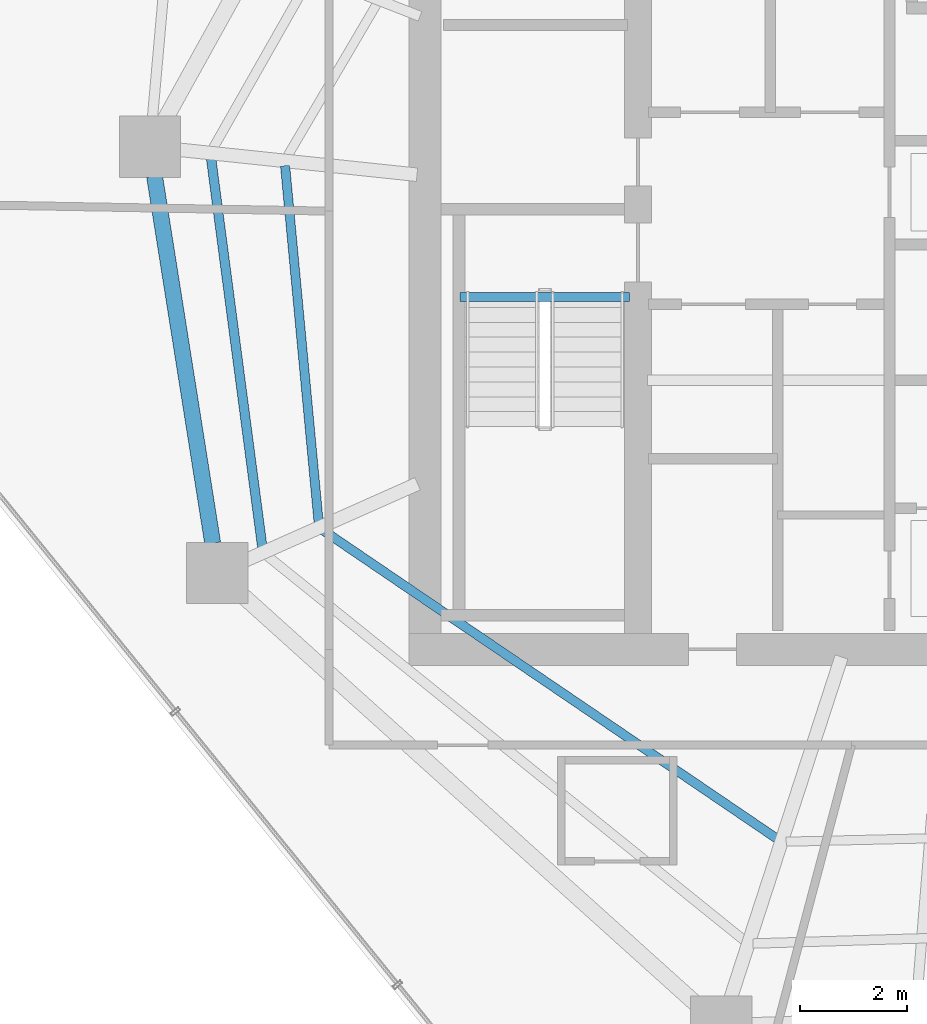
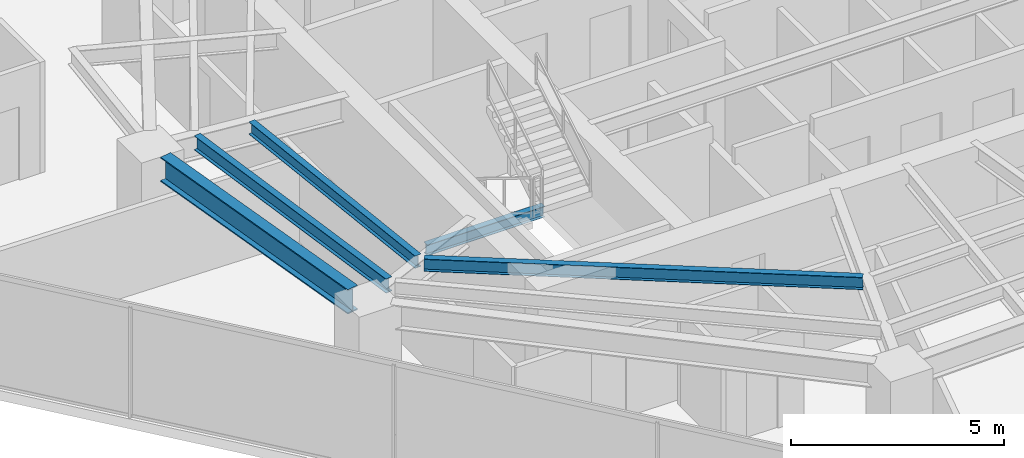
# One storey, part 8 of 27: 5 beams.
"""IFC4 building model written with IfcOpenShell, lengths in metres."""

from ifc_helpers import new_model, si_unit, direction, frame, origin, origin_2d, place, context, subcontext, project, spatial, i_section, extrude, material, material_profile, profile_set, type_object, element, save


model = new_model("IFC4")

# Units and contexts
model_context = context("Model", 3, precision=1e-05, world=origin(), true_north=direction((0.0, 1.0)))
body_context = subcontext(model_context, "Body", "Model", "MODEL_VIEW")
ifc_project = project(units=[si_unit("LENGTHUNIT", "METRE"), si_unit("AREAUNIT", "SQUARE_METRE"), si_unit("VOLUMEUNIT", "CUBIC_METRE"), si_unit("PLANEANGLEUNIT", "RADIAN"), si_unit("MASSUNIT", "GRAM", prefix="KILO")], contexts=[model_context])

# Site, building, storey
site_placement = place(None, origin())
site = spatial("IfcSite", under=ifc_project, at=site_placement, CompositionType="ELEMENT")
building_placement = place(site_placement, origin())
building = spatial("IfcBuilding", under=site, at=building_placement, Name="Qarnah Convention Tower", CompositionType="ELEMENT")
storey_placement = place(building_placement, frame((0.0, 0.0, 100.5)))
storey = spatial("IfcBuildingStorey", under=building, at=storey_placement, Name="L26", CompositionType="ELEMENT", Elevation=100.5)

# Beams
ifc_material = material(Name="Structural steel S355JR", Category="steel")
ifc_material_profile_1 = material_profile(ifc_material, i_section(OverallWidth=0.166015625, OverallDepth=0.31201171875, WebThickness=0.007080078125, FlangeThickness=0.010986328125, at=origin_2d()), Name="W310X45")
ifc_profile_set_1 = profile_set([ifc_material_profile_1], Name="Structural steel S355JR")
beam_type_1 = type_object("IfcBeamType", Name="BM-JST-W310", PredefinedType="JOIST", material=ifc_profile_set_1)
beam_1_placement = place(storey_placement, frame((27.4599609375, 25.217041015625, -0.156005859375), z_axis=(1.0, 0.0, 0.0), x_axis=(0.0, 1.0, 0.0)))
element("IfcBeam", 1, at=beam_1_placement, inside=storey, type_object=beam_type_1, Name="L26 stair landing trimmer beam BM-L26-ST1-TRM", PredefinedType="BEAM", context=body_context, shape_type="SweptSolid", body=[
    extrude(i_section(OverallWidth=0.166015625, OverallDepth=0.31201171875, WebThickness=0.007080078125, FlangeThickness=0.010986328125, at=origin_2d()), origin(), (0.0, 0.0, 1.0), 3.179931640625),
])
ifc_material_profile_2 = material_profile(ifc_material, i_section(OverallWidth=0.172119140625, OverallDepth=0.35595703125, WebThickness=0.007080078125, FlangeThickness=0.011962890625, at=origin_2d()), Name="W360X51")
ifc_profile_set_2 = profile_set([ifc_material_profile_2], Name="Structural steel S355JR")
beam_type_2 = type_object("IfcBeamType", Name="BM-JST-W360", PredefinedType="JOIST", material=ifc_profile_set_2)
beam_2_placement = place(storey_placement, frame((24.174072265625, 27.679931640625, 2.991943359375), z_axis=(0.093676486558, -0.995602689764, 0.0), x_axis=(0.995602689764, 0.093676486558, 0.0)))
element("IfcBeam", 2, at=beam_2_placement, inside=storey, type_object=beam_type_2, Name="L26 joist BM-L26-IJST-05", PredefinedType="JOIST", context=body_context, shape_type="SweptSolid", body=[
    extrude(i_section(OverallWidth=0.172119140625, OverallDepth=0.35595703125, WebThickness=0.007080078125, FlangeThickness=0.011962890625, at=origin_2d()), origin(), (0.0, 0.0, 1.0), 6.734375),
])
beam_3_placement = place(storey_placement, frame((24.886962890625, 20.833984375, 2.991943359375), z_axis=(0.827160221011, -0.561966163374, 0.0), x_axis=(0.561966163374, 0.827160221011, 0.0)))
element("IfcBeam", 3, at=beam_3_placement, inside=storey, type_object=beam_type_2, Name="L26 joist BM-L26-IJST-06", PredefinedType="JOIST", context=body_context, shape_type="SweptSolid", body=[
    extrude(i_section(OverallWidth=0.172119140625, OverallDepth=0.35595703125, WebThickness=0.007080078125, FlangeThickness=0.011962890625, at=origin_2d()), origin(), (0.0, 0.0, 1.0), 10.313720703125),
])
ifc_material_profile_3 = material_profile(ifc_material, i_section(OverallWidth=0.177978515625, OverallDepth=0.407958984375, WebThickness=0.008056640625, FlangeThickness=0.012939453125, at=origin_2d()), Name="W410X60")
ifc_profile_set_3 = profile_set([ifc_material_profile_3], Name="Structural steel S355JR")
beam_type_3 = type_object("IfcBeamType", Name="BM-JST-W410", PredefinedType="JOIST", material=ifc_profile_set_3)
beam_4_placement = place(storey_placement, frame((22.783935546875, 27.827880859375, 2.966064453125), z_axis=(0.130550291015, -0.991441688409, 0.0), x_axis=(0.991441688409, 0.130550291015, 0.0)))
element("IfcBeam", 4, at=beam_4_placement, inside=storey, type_object=beam_type_3, Name="L26 joist BM-L26-SJST-05", PredefinedType="JOIST", context=body_context, shape_type="SweptSolid", body=[
    extrude(i_section(OverallWidth=0.177978515625, OverallDepth=0.407958984375, WebThickness=0.008056640625, FlangeThickness=0.012939453125, at=origin_2d()), origin(), (0.0, 0.0, 1.0), 7.385009765625),
])
ifc_material_profile_4 = material_profile(ifc_material, i_section(OverallWidth=0.300048828125, OverallDepth=0.699951171875, WebThickness=0.01708984375, FlangeThickness=0.031982421875, at=origin_2d()), Name="HEB700")
ifc_profile_set_4 = profile_set([ifc_material_profile_4], Name="Structural steel S355JR")
beam_type_4 = type_object("IfcBeamType", Name="BM-RING-HEB700", PredefinedType="BEAM", material=ifc_profile_set_4)
beam_5_placement = place(storey_placement, frame((21.72412109375, 27.47802734375, 2.820068359375), z_axis=(0.156482310627, -0.987680761411, 0.0), x_axis=(0.987680761411, 0.156482310627, 0.0)))
element("IfcBeam", 5, at=beam_5_placement, inside=storey, type_object=beam_type_4, Name="L26 beam BM-L26-SPN-05", PredefinedType="BEAM", context=body_context, shape_type="SweptSolid", body=[
    extrude(i_section(OverallWidth=0.300048828125, OverallDepth=0.699951171875, WebThickness=0.01708984375, FlangeThickness=0.031982421875, at=origin_2d()), origin(), (0.0, 0.0, 1.0), 6.970947265625),
])

save(model, "model.ifc")
